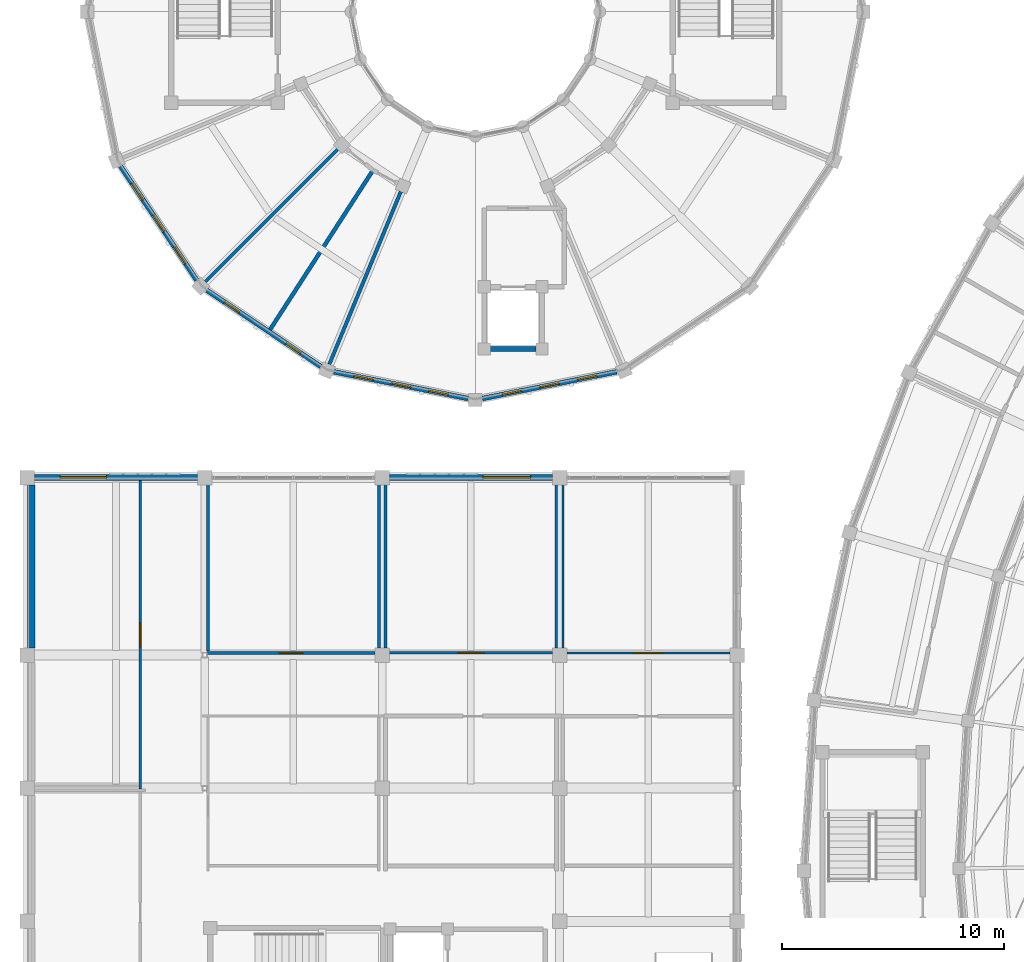
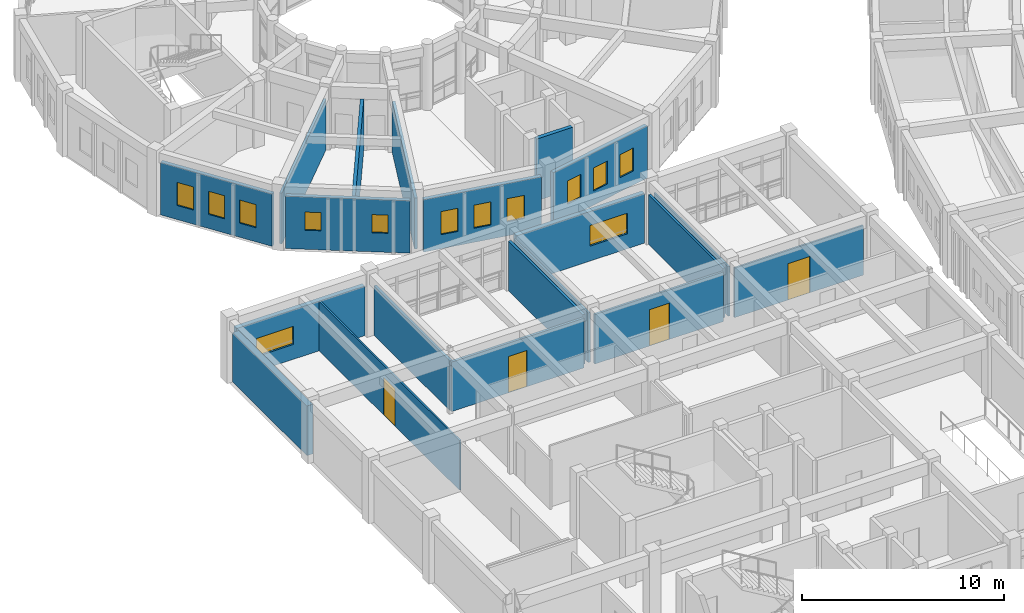
# One storey, part 83 of 112: 20 walls, 13 windows, 4 doors, 17 openings.
"""IFC4 building model written with IfcOpenShell, lengths in metres."""

from ifc_helpers import new_model, si_unit, direction, frame, frame_2d, origin, place, context, subcontext, project, spatial, rectangle, extrude, material, layer, layer_set, type_object, element, fill, save


model = new_model("IFC4")

# Units and contexts
model_context = context("Model", 3, precision=1e-05, world=origin(), true_north=direction((0.0, 1.0)))
body_context = subcontext(model_context, "Body", "Model", "MODEL_VIEW")
ifc_project = project(units=[si_unit("LENGTHUNIT", "METRE"), si_unit("AREAUNIT", "SQUARE_METRE"), si_unit("VOLUMEUNIT", "CUBIC_METRE"), si_unit("PLANEANGLEUNIT", "RADIAN"), si_unit("MASSUNIT", "GRAM", prefix="KILO")], contexts=[model_context])

# Site, building, storey
site_placement = place(None, origin())
site = spatial("IfcSite", under=ifc_project, at=site_placement, CompositionType="ELEMENT")
building_placement = place(site_placement, origin())
building = spatial("IfcBuilding", under=site, at=building_placement, Name="Celadon Cloister-Ring School", CompositionType="ELEMENT")
storey_placement = place(building_placement, frame((0.0, 0.0, 8.5)))
storey = spatial("IfcBuildingStorey", under=building, at=storey_placement, Name="L02", CompositionType="ELEMENT", Elevation=8.5)

# Wall, opening, window
ifc_material_1 = material(Name="Rendered concrete blockwork", Category="masonry")
ifc_layer_1 = layer(ifc_material_1, 0.260009765625)
ifc_layer_set_1 = layer_set([ifc_layer_1], Name="Rendered concrete blockwork")
wall_type_1 = type_object("IfcWallType", Name="WT-EX2", PredefinedType="SOLIDWALL", material=ifc_layer_set_1)
wall_1_placement = place(storey_placement, frame((0.326904296875, 76.0, 0.0), z_axis=(0.0, 0.0, 1.0), x_axis=(1.0, 0.0, 0.0)))
wall_1 = element("IfcWall", 1, at=wall_1_placement, inside=storey, type_object=wall_type_1, Name="Exterior Wall 0515", PredefinedType="SOLIDWALL", context=body_context, shape_type="SweptSolid", body=[
    extrude(rectangle(XDim=7.34619140625, YDim=0.260009765625, at=frame_2d((3.673095703125, 0.0))), origin(), (0.0, 0.0, 1.0), 3.001953125),
])
opening_1_placement = place(wall_1_placement, frame((1.154052734375, 0.0, 0.89990234375)))
opening_1 = element("IfcOpeningElement", 2, at=opening_1_placement, cuts=wall_1, Name="Opening WN-09", PredefinedType="OPENING", context=body_context, shape_type="SweptSolid", body=[
    extrude(rectangle(XDim=2.10009765625, YDim=1.10009765625, at=frame_2d((1.050048828125, 0.550048828125))), frame((0.0, 0.14013671875, 0.0), z_axis=(0.0, -1.0, 0.0), x_axis=(1.0, 0.0, 0.0)), (0.0, 0.0, 1.0), 0.280029296875),
])
ifc_material_2 = material(Name="Tempered laminated insulating glass", Category="glass")
window_type_1 = type_object("IfcWindowType", Name="WN-09", PartitioningType="DOUBLE_PANEL_VERTICAL", PredefinedType="WINDOW", material=ifc_material_2)
window_1_placement = place(opening_1_placement, origin())
window_1 = element("IfcWindow", 3, at=window_1_placement, inside=storey, type_object=window_type_1, Name="Window 1002", OverallHeight=1.10009765625, OverallWidth=2.10009765625, PartitioningType="SINGLE_PANEL", PredefinedType="WINDOW", context=body_context, shape_type="SweptSolid", body=[
    extrude(rectangle(XDim=2.10009765625, YDim=1.10009765625, at=frame_2d((1.050048828125, 0.550048828125))), frame((0.0, 0.030029296875, 0.0), z_axis=(0.0, -1.0, 0.0), x_axis=(1.0, 0.0, 0.0)), (0.0, 0.0, 1.0), 0.06005859375),
])
fill(opening_1, window_1)

wall_2_placement = place(storey_placement, frame((16.326904296875, 76.0, 0.0), z_axis=(0.0, 0.0, 1.0), x_axis=(1.0, 0.0, 0.0)))
wall_2 = element("IfcWall", 4, at=wall_2_placement, inside=storey, type_object=wall_type_1, Name="Exterior Wall 0516", PredefinedType="SOLIDWALL", context=body_context, shape_type="SweptSolid", body=[
    extrude(rectangle(XDim=7.34619140625, YDim=0.260009765625, at=frame_2d((3.673095703125, 0.0))), origin(), (0.0, 0.0, 1.0), 3.001953125),
])
opening_2_placement = place(wall_2_placement, frame((4.214111328125, 0.0, 0.89990234375)))
opening_2 = element("IfcOpeningElement", 5, at=opening_2_placement, cuts=wall_2, Name="Opening WN-19", PredefinedType="OPENING", context=body_context, shape_type="SweptSolid", body=[
    extrude(rectangle(XDim=2.14990234375, YDim=1.25, at=frame_2d((1.074951171875, 0.625))), frame((0.0, 0.14013671875, 0.0), z_axis=(0.0, -1.0, 0.0), x_axis=(1.0, 0.0, 0.0)), (0.0, 0.0, 1.0), 0.280029296875),
])
ifc_material_3 = material(Name="Tempered laminated insulating glass", Category="glass")
window_type_2 = type_object("IfcWindowType", Name="WN-19", PartitioningType="DOUBLE_PANEL_VERTICAL", PredefinedType="WINDOW", material=ifc_material_3)
window_2_placement = place(opening_2_placement, origin())
window_2 = element("IfcWindow", 6, at=window_2_placement, inside=storey, type_object=window_type_2, Name="Window 1003", OverallHeight=1.25, OverallWidth=2.14990234375, PartitioningType="SINGLE_PANEL", PredefinedType="WINDOW", context=body_context, shape_type="SweptSolid", body=[
    extrude(rectangle(XDim=2.14990234375, YDim=1.25, at=frame_2d((1.074951171875, 0.625))), frame((0.0, 0.030029296875, 0.0), z_axis=(0.0, -1.0, 0.0), x_axis=(1.0, 0.0, 0.0)), (0.0, 0.0, 1.0), 0.06005859375),
])
fill(opening_2, window_2)

# Wall, openings, windows
ifc_material_4 = material(Name="Perforated terracotta clay brick masonry", Category="masonry")
ifc_layer_2 = layer(ifc_material_4, 0.219970703125)
ifc_layer_set_2 = layer_set([ifc_layer_2], Name="Perforated terracotta clay brick masonry")
wall_type_2 = type_object("IfcWallType", Name="WT-EX4", PredefinedType="SOLIDWALL", material=ifc_layer_set_2)
wall_3_placement = place(storey_placement, frame((7.64306640625, 84.89990234375, 0.0), z_axis=(0.0, 0.0, 1.0), x_axis=(-0.555658736667, 0.831410469242, 0.0)))
wall_3 = element("IfcWall", 7, at=wall_3_placement, inside=storey, type_object=wall_type_2, Name="Exterior Wall 0262", PredefinedType="SOLIDWALL", context=body_context, shape_type="SweptSolid", body=[
    extrude(rectangle(XDim=6.169189453125, YDim=0.219970703125, at=frame_2d((3.08447265625, 0.0))), origin(), (0.0, 0.0, 1.0), 3.172119140625),
])
opening_3_placement = place(wall_3_placement, frame((0.906982421875, 0.0, 0.85009765625)))
opening_3 = element("IfcOpeningElement", 8, at=opening_3_placement, cuts=wall_3, Name="Opening WN-21", PredefinedType="OPENING", context=body_context, shape_type="SweptSolid", body=[
    extrude(rectangle(XDim=0.89990234375, YDim=1.39990234375, at=frame_2d((0.449951171875, 0.699951171875))), frame((0.0, 0.1201171875, 0.0), z_axis=(0.0, -1.0, 0.0), x_axis=(1.0, 0.0, 0.0)), (0.0, 0.0, 1.0), 0.239990234375),
])
opening_4_placement = place(wall_3_placement, frame((2.635009765625, 0.0, 0.85009765625)))
opening_4 = element("IfcOpeningElement", 9, at=opening_4_placement, cuts=wall_3, Name="Opening WN-21", PredefinedType="OPENING", context=body_context, shape_type="SweptSolid", body=[
    extrude(rectangle(XDim=0.89990234375, YDim=1.39990234375, at=frame_2d((0.449951171875, 0.699951171875))), frame((0.0, 0.1201171875, 0.0), z_axis=(0.0, -1.0, 0.0), x_axis=(1.0, 0.0, 0.0)), (0.0, 0.0, 1.0), 0.239990234375),
])
opening_5_placement = place(wall_3_placement, frame((4.362060546875, 0.0, 0.85009765625)))
opening_5 = element("IfcOpeningElement", 10, at=opening_5_placement, cuts=wall_3, Name="Opening WN-21", PredefinedType="OPENING", context=body_context, shape_type="SweptSolid", body=[
    extrude(rectangle(XDim=0.89990234375, YDim=1.39990234375, at=frame_2d((0.449951171875, 0.699951171875))), frame((0.0, 0.1201171875, 0.0), z_axis=(0.0, -1.0, 0.0), x_axis=(1.0, 0.0, 0.0)), (0.0, 0.0, 1.0), 0.239990234375),
])
ifc_material_5 = material(Name="Tempered laminated insulating glass", Category="glass")
window_type_3 = type_object("IfcWindowType", Name="WN-21", PartitioningType="SINGLE_PANEL", PredefinedType="WINDOW", material=ifc_material_5)
window_3_placement = place(opening_3_placement, origin())
window_3 = element("IfcWindow", 11, at=window_3_placement, inside=storey, type_object=window_type_3, Name="Window 0694", OverallHeight=1.39990234375, OverallWidth=0.89990234375, PartitioningType="SINGLE_PANEL", PredefinedType="WINDOW", context=body_context, shape_type="SweptSolid", body=[
    extrude(rectangle(XDim=0.89990234375, YDim=1.39990234375, at=frame_2d((0.449951171875, 0.699951171875))), frame((0.0, 0.030029296875, 0.0), z_axis=(0.0, -1.0, 0.0), x_axis=(1.0, 0.0, 0.0)), (0.0, 0.0, 1.0), 0.06005859375),
])
fill(opening_3, window_3)
window_4_placement = place(opening_4_placement, origin())
window_4 = element("IfcWindow", 12, at=window_4_placement, inside=storey, type_object=window_type_3, Name="Window 0695", OverallHeight=1.39990234375, OverallWidth=0.89990234375, PartitioningType="SINGLE_PANEL", PredefinedType="WINDOW", context=body_context, shape_type="SweptSolid", body=[
    extrude(rectangle(XDim=0.89990234375, YDim=1.39990234375, at=frame_2d((0.449951171875, 0.699951171875))), frame((0.0, 0.030029296875, 0.0), z_axis=(0.0, -1.0, 0.0), x_axis=(1.0, 0.0, 0.0)), (0.0, 0.0, 1.0), 0.06005859375),
])
fill(opening_4, window_4)
window_5_placement = place(opening_5_placement, origin())
window_5 = element("IfcWindow", 13, at=window_5_placement, inside=storey, type_object=window_type_3, Name="Window 0696", OverallHeight=1.39990234375, OverallWidth=0.89990234375, PartitioningType="SINGLE_PANEL", PredefinedType="WINDOW", context=body_context, shape_type="SweptSolid", body=[
    extrude(rectangle(XDim=0.89990234375, YDim=1.39990234375, at=frame_2d((0.449951171875, 0.699951171875))), frame((0.0, 0.030029296875, 0.0), z_axis=(0.0, -1.0, 0.0), x_axis=(1.0, 0.0, 0.0)), (0.0, 0.0, 1.0), 0.06005859375),
])
fill(opening_5, window_5)

wall_4_placement = place(storey_placement, frame((13.22900390625, 81.014892578125, 0.0), z_axis=(0.0, 0.0, 1.0), x_axis=(-0.831379966495, 0.555704374025, 0.0)))
wall_4 = element("IfcWall", 14, at=wall_4_placement, inside=storey, type_object=wall_type_2, Name="Exterior Wall 0263", PredefinedType="SOLIDWALL", context=body_context, shape_type="SweptSolid", body=[
    extrude(rectangle(XDim=6.169189453125, YDim=0.219970703125, at=frame_2d((3.08447265625, 0.0))), origin(), (0.0, 0.0, 1.0), 3.172119140625),
])
opening_6_placement = place(wall_4_placement, frame((1.0810546875, 0.0, 1.14990234375)))
opening_6 = element("IfcOpeningElement", 15, at=opening_6_placement, cuts=wall_4, Name="Opening WN-01", PredefinedType="OPENING", context=body_context, shape_type="SweptSolid", body=[
    extrude(rectangle(XDim=0.800048828125, YDim=1.10009765625, at=frame_2d((0.39990234375, 0.550048828125))), frame((0.0, 0.1201171875, 0.0), z_axis=(0.0, -1.0, 0.0), x_axis=(1.0, 0.0, 0.0)), (0.0, 0.0, 1.0), 0.239990234375),
])
opening_7_placement = place(wall_4_placement, frame((4.412109375, 0.0, 1.14990234375)))
opening_7 = element("IfcOpeningElement", 16, at=opening_7_placement, cuts=wall_4, Name="Opening WN-01", PredefinedType="OPENING", context=body_context, shape_type="SweptSolid", body=[
    extrude(rectangle(XDim=0.800048828125, YDim=1.10009765625, at=frame_2d((0.39990234375, 0.550048828125))), frame((0.0, 0.1201171875, 0.0), z_axis=(0.0, -1.0, 0.0), x_axis=(1.0, 0.0, 0.0)), (0.0, 0.0, 1.0), 0.239990234375),
])
ifc_material_6 = material(Name="Tempered laminated insulating glass", Category="glass")
window_type_4 = type_object("IfcWindowType", Name="WN-01", PartitioningType="SINGLE_PANEL", PredefinedType="WINDOW", material=ifc_material_6)
window_6_placement = place(opening_6_placement, origin())
window_6 = element("IfcWindow", 17, at=window_6_placement, inside=storey, type_object=window_type_4, Name="Window 0697", OverallHeight=1.10009765625, OverallWidth=0.800048828125, PartitioningType="SINGLE_PANEL", PredefinedType="WINDOW", context=body_context, shape_type="SweptSolid", body=[
    extrude(rectangle(XDim=0.800048828125, YDim=1.10009765625, at=frame_2d((0.39990234375, 0.550048828125))), frame((0.0, 0.030029296875, 0.0), z_axis=(0.0, -1.0, 0.0), x_axis=(1.0, 0.0, 0.0)), (0.0, 0.0, 1.0), 0.06005859375),
])
fill(opening_6, window_6)
window_7_placement = place(opening_7_placement, origin())
window_7 = element("IfcWindow", 18, at=window_7_placement, inside=storey, type_object=window_type_4, Name="Window 0698", OverallHeight=1.10009765625, OverallWidth=0.800048828125, PartitioningType="SINGLE_PANEL", PredefinedType="WINDOW", context=body_context, shape_type="SweptSolid", body=[
    extrude(rectangle(XDim=0.800048828125, YDim=1.10009765625, at=frame_2d((0.39990234375, 0.550048828125))), frame((0.0, 0.030029296875, 0.0), z_axis=(0.0, -1.0, 0.0), x_axis=(1.0, 0.0, 0.0)), (0.0, 0.0, 1.0), 0.06005859375),
])
fill(opening_7, window_7)

wall_5_placement = place(storey_placement, frame((19.876953125, 79.56396484375, 0.0), z_axis=(0.0, 0.0, 1.0), x_axis=(-0.980770460131, 0.195164813773, 0.0)))
wall_5 = element("IfcWall", 19, at=wall_5_placement, inside=storey, type_object=wall_type_2, Name="Exterior Wall 0265", PredefinedType="SOLIDWALL", context=body_context, shape_type="SweptSolid", body=[
    extrude(rectangle(XDim=6.169677734375, YDim=0.219970703125, at=frame_2d((3.0849609375, 0.0))), origin(), (0.0, 0.0, 1.0), 3.172119140625),
])
opening_8_placement = place(wall_5_placement, frame((0.906982421875, 0.0, 0.85009765625)))
opening_8 = element("IfcOpeningElement", 20, at=opening_8_placement, cuts=wall_5, Name="Opening WN-21", PredefinedType="OPENING", context=body_context, shape_type="SweptSolid", body=[
    extrude(rectangle(XDim=0.89990234375, YDim=1.39990234375, at=frame_2d((0.449951171875, 0.699951171875))), frame((0.0, 0.1201171875, 0.0), z_axis=(0.0, -1.0, 0.0), x_axis=(1.0, 0.0, 0.0)), (0.0, 0.0, 1.0), 0.239990234375),
])
opening_9_placement = place(wall_5_placement, frame((2.635009765625, 0.0, 0.85009765625)))
opening_9 = element("IfcOpeningElement", 21, at=opening_9_placement, cuts=wall_5, Name="Opening WN-21", PredefinedType="OPENING", context=body_context, shape_type="SweptSolid", body=[
    extrude(rectangle(XDim=0.89990234375, YDim=1.39990234375, at=frame_2d((0.449951171875, 0.699951171875))), frame((0.0, 0.1201171875, 0.0), z_axis=(0.0, -1.0, 0.0), x_axis=(1.0, 0.0, 0.0)), (0.0, 0.0, 1.0), 0.239990234375),
])
opening_10_placement = place(wall_5_placement, frame((4.362060546875, 0.0, 0.85009765625)))
opening_10 = element("IfcOpeningElement", 22, at=opening_10_placement, cuts=wall_5, Name="Opening WN-21", PredefinedType="OPENING", context=body_context, shape_type="SweptSolid", body=[
    extrude(rectangle(XDim=0.89990234375, YDim=1.39990234375, at=frame_2d((0.449951171875, 0.699951171875))), frame((0.0, 0.1201171875, 0.0), z_axis=(0.0, -1.0, 0.0), x_axis=(1.0, 0.0, 0.0)), (0.0, 0.0, 1.0), 0.239990234375),
])
window_8_placement = place(opening_8_placement, origin())
window_8 = element("IfcWindow", 23, at=window_8_placement, inside=storey, type_object=window_type_3, Name="Window 0699", OverallHeight=1.39990234375, OverallWidth=0.89990234375, PartitioningType="SINGLE_PANEL", PredefinedType="WINDOW", context=body_context, shape_type="SweptSolid", body=[
    extrude(rectangle(XDim=0.89990234375, YDim=1.39990234375, at=frame_2d((0.449951171875, 0.699951171875))), frame((0.0, 0.030029296875, 0.0), z_axis=(0.0, -1.0, 0.0), x_axis=(1.0, 0.0, 0.0)), (0.0, 0.0, 1.0), 0.06005859375),
])
fill(opening_8, window_8)
window_9_placement = place(opening_9_placement, origin())
window_9 = element("IfcWindow", 24, at=window_9_placement, inside=storey, type_object=window_type_3, Name="Window 0700", OverallHeight=1.39990234375, OverallWidth=0.89990234375, PartitioningType="SINGLE_PANEL", PredefinedType="WINDOW", context=body_context, shape_type="SweptSolid", body=[
    extrude(rectangle(XDim=0.89990234375, YDim=1.39990234375, at=frame_2d((0.449951171875, 0.699951171875))), frame((0.0, 0.030029296875, 0.0), z_axis=(0.0, -1.0, 0.0), x_axis=(1.0, 0.0, 0.0)), (0.0, 0.0, 1.0), 0.06005859375),
])
fill(opening_9, window_9)
window_10_placement = place(opening_10_placement, origin())
window_10 = element("IfcWindow", 25, at=window_10_placement, inside=storey, type_object=window_type_3, Name="Window 0701", OverallHeight=1.39990234375, OverallWidth=0.89990234375, PartitioningType="SINGLE_PANEL", PredefinedType="WINDOW", context=body_context, shape_type="SweptSolid", body=[
    extrude(rectangle(XDim=0.89990234375, YDim=1.39990234375, at=frame_2d((0.449951171875, 0.699951171875))), frame((0.0, 0.030029296875, 0.0), z_axis=(0.0, -1.0, 0.0), x_axis=(1.0, 0.0, 0.0)), (0.0, 0.0, 1.0), 0.06005859375),
])
fill(opening_10, window_10)

wall_6_placement = place(storey_placement, frame((26.573974609375, 80.76806640625, 0.0), z_axis=(0.0, 0.0, 1.0), x_axis=(-0.980770460131, -0.195164813773, 0.0)))
wall_6 = element("IfcWall", 26, at=wall_6_placement, inside=storey, type_object=wall_type_2, Name="Exterior Wall 0266", PredefinedType="SOLIDWALL", context=body_context, shape_type="SweptSolid", body=[
    extrude(rectangle(XDim=6.169677734375, YDim=0.219970703125, at=frame_2d((3.0849609375, 0.0))), origin(), (0.0, 0.0, 1.0), 3.172119140625),
])
opening_11_placement = place(wall_6_placement, frame((0.906982421875, 0.0, 0.85009765625)))
opening_11 = element("IfcOpeningElement", 27, at=opening_11_placement, cuts=wall_6, Name="Opening WN-21", PredefinedType="OPENING", context=body_context, shape_type="SweptSolid", body=[
    extrude(rectangle(XDim=0.89990234375, YDim=1.39990234375, at=frame_2d((0.449951171875, 0.699951171875))), frame((0.0, 0.1201171875, 0.0), z_axis=(0.0, -1.0, 0.0), x_axis=(1.0, 0.0, 0.0)), (0.0, 0.0, 1.0), 0.239990234375),
])
opening_12_placement = place(wall_6_placement, frame((2.635009765625, 0.0, 0.85009765625)))
opening_12 = element("IfcOpeningElement", 28, at=opening_12_placement, cuts=wall_6, Name="Opening WN-21", PredefinedType="OPENING", context=body_context, shape_type="SweptSolid", body=[
    extrude(rectangle(XDim=0.89990234375, YDim=1.39990234375, at=frame_2d((0.449951171875, 0.699951171875))), frame((0.0, 0.1201171875, 0.0), z_axis=(0.0, -1.0, 0.0), x_axis=(1.0, 0.0, 0.0)), (0.0, 0.0, 1.0), 0.239990234375),
])
opening_13_placement = place(wall_6_placement, frame((4.362060546875, 0.0, 0.85009765625)))
opening_13 = element("IfcOpeningElement", 29, at=opening_13_placement, cuts=wall_6, Name="Opening WN-21", PredefinedType="OPENING", context=body_context, shape_type="SweptSolid", body=[
    extrude(rectangle(XDim=0.89990234375, YDim=1.39990234375, at=frame_2d((0.449951171875, 0.699951171875))), frame((0.0, 0.1201171875, 0.0), z_axis=(0.0, -1.0, 0.0), x_axis=(1.0, 0.0, 0.0)), (0.0, 0.0, 1.0), 0.239990234375),
])
window_11_placement = place(opening_11_placement, origin())
window_11 = element("IfcWindow", 30, at=window_11_placement, inside=storey, type_object=window_type_3, Name="Window 0702", OverallHeight=1.39990234375, OverallWidth=0.89990234375, PartitioningType="SINGLE_PANEL", PredefinedType="WINDOW", context=body_context, shape_type="SweptSolid", body=[
    extrude(rectangle(XDim=0.89990234375, YDim=1.39990234375, at=frame_2d((0.449951171875, 0.699951171875))), frame((0.0, 0.030029296875, 0.0), z_axis=(0.0, -1.0, 0.0), x_axis=(1.0, 0.0, 0.0)), (0.0, 0.0, 1.0), 0.06005859375),
])
fill(opening_11, window_11)
window_12_placement = place(opening_12_placement, origin())
window_12 = element("IfcWindow", 31, at=window_12_placement, inside=storey, type_object=window_type_3, Name="Window 0703", OverallHeight=1.39990234375, OverallWidth=0.89990234375, PartitioningType="SINGLE_PANEL", PredefinedType="WINDOW", context=body_context, shape_type="SweptSolid", body=[
    extrude(rectangle(XDim=0.89990234375, YDim=1.39990234375, at=frame_2d((0.449951171875, 0.699951171875))), frame((0.0, 0.030029296875, 0.0), z_axis=(0.0, -1.0, 0.0), x_axis=(1.0, 0.0, 0.0)), (0.0, 0.0, 1.0), 0.06005859375),
])
fill(opening_12, window_12)
window_13_placement = place(opening_13_placement, origin())
window_13 = element("IfcWindow", 32, at=window_13_placement, inside=storey, type_object=window_type_3, Name="Window 0704", OverallHeight=1.39990234375, OverallWidth=0.89990234375, PartitioningType="SINGLE_PANEL", PredefinedType="WINDOW", context=body_context, shape_type="SweptSolid", body=[
    extrude(rectangle(XDim=0.89990234375, YDim=1.39990234375, at=frame_2d((0.449951171875, 0.699951171875))), frame((0.0, 0.030029296875, 0.0), z_axis=(0.0, -1.0, 0.0), x_axis=(1.0, 0.0, 0.0)), (0.0, 0.0, 1.0), 0.06005859375),
])
fill(opening_13, window_13)

# Walls
ifc_material_7 = material(Name="Concrete C40/50", Category="concrete")
ifc_layer_3 = layer(ifc_material_7, 0.35009765625)
ifc_layer_set_3 = layer_set([ifc_layer_3], Name="Concrete C40/50")
wall_type_3 = type_object("IfcWallType", Name="WT-FW2", PredefinedType="SHEAR", material=ifc_layer_set_3)
wall_7_placement = place(storey_placement, frame((0.175048828125, 68.326904296875, 0.0), z_axis=(0.0, 0.0, 1.0), x_axis=(0.0, 1.0, 0.0)))
element("IfcWall", 33, at=wall_7_placement, inside=storey, type_object=wall_type_3, Name="Exterior Wall 0528", PredefinedType="SHEAR", context=body_context, shape_type="SweptSolid", body=[
    extrude(rectangle(XDim=7.34619140625, YDim=0.35009765625, at=frame_2d((3.673095703125, 0.0))), origin(), (0.0, 0.0, 1.0), 3.001953125),
])
ifc_material_8 = material(Name="Plastered hollow concrete masonry", Category="masonry")
ifc_layer_4 = layer(ifc_material_8, 0.179931640625)
ifc_layer_set_4 = layer_set([ifc_layer_4], Name="Plastered hollow concrete masonry")
wall_type_4 = type_object("IfcWallType", Name="WT-PT2", PredefinedType="PARTITIONING", material=ifc_layer_set_4)
wall_8_placement = place(storey_placement, frame((15.589111328125, 89.85888671875, 0.0), z_axis=(0.0, 0.0, 1.0), x_axis=(-0.542440235144, -0.840094394278, 0.0)))
element("IfcWall", 34, at=wall_8_placement, inside=storey, type_object=wall_type_4, Name="Interior Wall 0718", PredefinedType="PARTITIONING", context=body_context, shape_type="SweptSolid", body=[
    extrude(rectangle(XDim=8.552490234375, YDim=0.179931640625, at=frame_2d((4.2763671875, 0.0))), origin(), (0.0, 0.0, 1.0), 3.072021484375),
])
ifc_material_9 = material(Name="Plastered hollow concrete masonry", Category="masonry")
ifc_layer_5 = layer(ifc_material_9, 0.159912109375)
ifc_layer_set_5 = layer_set([ifc_layer_5], Name="Plastered hollow concrete masonry")
wall_type_5 = type_object("IfcWallType", Name="WT-PT3", PredefinedType="PARTITIONING", material=ifc_layer_set_5)
wall_9_placement = place(storey_placement, frame((16.844970703125, 88.89990234375, 0.0), z_axis=(0.0, 0.0, 1.0), x_axis=(-0.382683896966, -0.923879340067, 0.0)))
element("IfcWall", 35, at=wall_9_placement, inside=storey, type_object=wall_type_5, Name="Interior Wall 0711", PredefinedType="PARTITIONING", context=body_context, shape_type="SweptSolid", body=[
    extrude(rectangle(XDim=8.4404296875, YDim=0.159912109375, at=frame_2d((4.22021484375, 0.0))), origin(), (0.0, 0.0, 1.0), 3.072021484375),
])
ifc_material_10 = material(Name="Acoustic mineral-wool drywall partition")
ifc_layer_6 = layer(ifc_material_10, 0.139892578125)
ifc_layer_set_6 = layer_set([ifc_layer_6], Name="Acoustic mineral-wool drywall partition")
wall_type_6 = type_object("IfcWallType", Name="WT-PT4", PredefinedType="PARTITIONING", material=ifc_layer_set_6)
wall_10_placement = place(storey_placement, frame((14.0009765625, 90.801025390625, 0.0), z_axis=(0.0, 0.0, 1.0), x_axis=(-0.707106781187, -0.707106781187, 0.0)))
element("IfcWall", 36, at=wall_10_placement, inside=storey, type_object=wall_type_6, Name="Interior Wall 0710", PredefinedType="PARTITIONING", context=body_context, shape_type="SweptSolid", body=[
    extrude(rectangle(XDim=8.44140625, YDim=0.139892578125, at=frame_2d((4.220703125, 0.0))), origin(), (0.0, 0.0, 1.0), 3.072021484375),
])
wall_11_placement = place(storey_placement, frame((15.85009765625, 75.68310546875, 0.0), z_axis=(0.0, 0.0, 1.0), x_axis=(0.0, -1.0, 0.0)))
element("IfcWall", 37, at=wall_11_placement, inside=storey, type_object=wall_type_6, Name="Interior Wall 1044", PredefinedType="PARTITIONING", context=body_context, shape_type="SweptSolid", body=[
    extrude(rectangle(XDim=7.3662109375, YDim=0.139892578125, at=frame_2d((3.68310546875, 0.0))), origin(), (0.0, 0.0, 1.0), 3.001953125),
])

# Wall, opening, door
wall_12_placement = place(storey_placement, frame((15.68310546875, 68.10009765625, 0.0), z_axis=(0.0, 0.0, 1.0), x_axis=(-1.0, 0.0, 0.0)))
wall_12 = element("IfcWall", 38, at=wall_12_placement, inside=storey, type_object=wall_type_6, Name="Interior Wall 1045", PredefinedType="PARTITIONING", context=body_context, shape_type="SweptSolid", body=[
    extrude(rectangle(XDim=7.5810546875, YDim=0.139892578125, at=frame_2d((3.79052734375, 0.0))), origin(), (0.0, 0.0, 1.0), 3.001953125),
])
opening_14_placement = place(wall_12_placement, frame((3.260009765625, 0.0, 0.0)))
opening_14 = element("IfcOpeningElement", 39, at=opening_14_placement, cuts=wall_12, Name="Opening D-0372", PredefinedType="OPENING", context=body_context, shape_type="SweptSolid", body=[
    extrude(rectangle(XDim=1.06005859375, YDim=2.199951171875, at=frame_2d((0.530029296875, 1.10009765625))), frame((0.0, 0.080078125, 0.0), z_axis=(0.0, -1.0, 0.0), x_axis=(1.0, 0.0, 0.0)), (0.0, 0.0, 1.0), 0.159912109375),
])
ifc_material_11 = material(Name="Solid-core fire-rated hardwood leaf", Category="wood")
door_type_1 = type_object("IfcDoorType", Name="DT-08", OperationType="NOTDEFINED", PredefinedType="DOOR", material=ifc_material_11)
door_1_placement = place(opening_14_placement, origin())
door_1 = element("IfcDoor", 40, at=door_1_placement, inside=storey, type_object=door_type_1, Name="Door D-0372", OperationType="SINGLE_SWING_RIGHT", OverallHeight=2.199951171875, OverallWidth=1.06005859375, PredefinedType="DOOR", context=body_context, shape_type="SweptSolid", body=[
    extrude(rectangle(XDim=1.06005859375, YDim=2.199951171875, at=frame_2d((0.530029296875, 1.10009765625))), frame((0.0, 0.02490234375, 0.0), z_axis=(0.0, -1.0, 0.0), x_axis=(1.0, 0.0, 0.0)), (0.0, 0.0, 1.0), 0.050048828125),
])
fill(opening_14, door_1)

# Walls
wall_13_placement = place(storey_placement, frame((8.14990234375, 68.173095703125, 0.0), z_axis=(0.0, 0.0, 1.0), x_axis=(0.0, 1.0, 0.0)))
element("IfcWall", 41, at=wall_13_placement, inside=storey, type_object=wall_type_6, Name="Interior Wall 1046", PredefinedType="PARTITIONING", context=body_context, shape_type="SweptSolid", body=[
    extrude(rectangle(XDim=7.510009765625, YDim=0.139892578125, at=frame_2d((3.7548828125, 0.0))), origin(), (0.0, 0.0, 1.0), 3.001953125),
])
ifc_material_12 = material(Name="Acoustic mineral-wool drywall partition")
ifc_layer_7 = layer(ifc_material_12, 0.1201171875)
ifc_layer_set_7 = layer_set([ifc_layer_7], Name="Acoustic mineral-wool drywall partition")
wall_type_7 = type_object("IfcWallType", Name="WT-PT5", PredefinedType="PARTITIONING", material=ifc_layer_set_7)
wall_14_placement = place(storey_placement, frame((23.85009765625, 75.68310546875, 0.0), z_axis=(0.0, 0.0, 1.0), x_axis=(0.0, -1.0, 0.0)))
element("IfcWall", 42, at=wall_14_placement, inside=storey, type_object=wall_type_7, Name="Interior Wall 1047", PredefinedType="PARTITIONING", context=body_context, shape_type="SweptSolid", body=[
    extrude(rectangle(XDim=7.3662109375, YDim=0.1201171875, at=frame_2d((3.68310546875, 0.0))), origin(), (0.0, 0.0, 1.0), 3.001953125),
])

# Wall, opening, door
wall_15_placement = place(storey_placement, frame((23.68310546875, 68.10009765625, 0.0), z_axis=(0.0, 0.0, 1.0), x_axis=(-1.0, 0.0, 0.0)))
wall_15 = element("IfcWall", 43, at=wall_15_placement, inside=storey, type_object=wall_type_7, Name="Interior Wall 1048", PredefinedType="PARTITIONING", context=body_context, shape_type="SweptSolid", body=[
    extrude(rectangle(XDim=7.3662109375, YDim=0.1201171875, at=frame_2d((3.68310546875, 0.0))), origin(), (0.0, 0.0, 1.0), 3.001953125),
])
opening_15_placement = place(wall_15_placement, frame((3.10791015625, 0.0, 0.0)))
opening_15 = element("IfcOpeningElement", 44, at=opening_15_placement, cuts=wall_15, Name="Opening D-0373", PredefinedType="OPENING", context=body_context, shape_type="SweptSolid", body=[
    extrude(rectangle(XDim=1.14990234375, YDim=2.199951171875, at=frame_2d((0.574951171875, 1.10009765625))), frame((0.0, 0.070068359375, 0.0), z_axis=(0.0, -1.0, 0.0), x_axis=(1.0, 0.0, 0.0)), (0.0, 0.0, 1.0), 0.14013671875),
])
ifc_material_13 = material(Name="Galvanised fire-rated hollow steel leaf", Category="steel")
door_type_2 = type_object("IfcDoorType", Name="DT-09", OperationType="NOTDEFINED", PredefinedType="DOOR", material=ifc_material_13)
door_2_placement = place(opening_15_placement, origin())
door_2 = element("IfcDoor", 45, at=door_2_placement, inside=storey, type_object=door_type_2, Name="Door D-0373", OperationType="SINGLE_SWING_LEFT", OverallHeight=2.199951171875, OverallWidth=1.14990234375, PredefinedType="DOOR", context=body_context, shape_type="SweptSolid", body=[
    extrude(rectangle(XDim=1.14990234375, YDim=2.199951171875, at=frame_2d((0.574951171875, 1.10009765625))), frame((0.0, 0.02490234375, 0.0), z_axis=(0.0, -1.0, 0.0), x_axis=(1.0, 0.0, 0.0)), (0.0, 0.0, 1.0), 0.050048828125),
])
fill(opening_15, door_2)

# Wall
wall_16_placement = place(storey_placement, frame((16.14990234375, 68.31689453125, 0.0), z_axis=(0.0, 0.0, 1.0), x_axis=(0.0, 1.0, 0.0)))
element("IfcWall", 46, at=wall_16_placement, inside=storey, type_object=wall_type_7, Name="Interior Wall 1049", PredefinedType="PARTITIONING", context=body_context, shape_type="SweptSolid", body=[
    extrude(rectangle(XDim=7.3662109375, YDim=0.1201171875, at=frame_2d((3.68310546875, 0.0))), origin(), (0.0, 0.0, 1.0), 3.001953125),
])

# Wall, opening, door
ifc_material_14 = material(Name="Acoustic mineral-wool drywall partition")
ifc_layer_8 = layer(ifc_material_14, 0.10009765625)
ifc_layer_set_8 = layer_set([ifc_layer_8], Name="Acoustic mineral-wool drywall partition")
wall_type_8 = type_object("IfcWallType", Name="WT-PT6", PredefinedType="PARTITIONING", material=ifc_layer_set_8)
wall_17_placement = place(storey_placement, frame((31.68310546875, 68.10009765625, 0.0), z_axis=(0.0, 0.0, 1.0), x_axis=(-1.0, 0.0, 0.0)))
wall_17 = element("IfcWall", 47, at=wall_17_placement, inside=storey, type_object=wall_type_8, Name="Interior Wall 1050", PredefinedType="PARTITIONING", context=body_context, shape_type="SweptSolid", body=[
    extrude(rectangle(XDim=7.3662109375, YDim=0.10009765625, at=frame_2d((3.68310546875, 0.0))), origin(), (0.0, 0.0, 1.0), 3.001953125),
])
opening_16_placement = place(wall_17_placement, frame((3.05810546875, 0.0, 0.0)))
opening_16 = element("IfcOpeningElement", 48, at=opening_16_placement, cuts=wall_17, Name="Opening D-0374", PredefinedType="OPENING", context=body_context, shape_type="SweptSolid", body=[
    extrude(rectangle(XDim=1.25, YDim=2.199951171875, at=frame_2d((0.625, 1.10009765625))), frame((0.0, 0.06005859375, 0.0), z_axis=(0.0, -1.0, 0.0), x_axis=(1.0, 0.0, 0.0)), (0.0, 0.0, 1.0), 0.1201171875),
])
ifc_material_15 = material(Name="Galvanised fire-rated hollow steel leaf", Category="steel")
door_type_3 = type_object("IfcDoorType", Name="DT-10", OperationType="NOTDEFINED", PredefinedType="DOOR", material=ifc_material_15)
door_3_placement = place(opening_16_placement, origin())
door_3 = element("IfcDoor", 49, at=door_3_placement, inside=storey, type_object=door_type_3, Name="Door D-0374", OperationType="SINGLE_SWING_RIGHT", OverallHeight=2.199951171875, OverallWidth=1.25, PredefinedType="DOOR", context=body_context, shape_type="SweptSolid", body=[
    extrude(rectangle(XDim=1.25, YDim=2.199951171875, at=frame_2d((0.625, 1.10009765625))), frame((0.0, 0.02490234375, 0.0), z_axis=(0.0, -1.0, 0.0), x_axis=(1.0, 0.0, 0.0)), (0.0, 0.0, 1.0), 0.050048828125),
])
fill(opening_16, door_3)

# Wall
wall_18_placement = place(storey_placement, frame((24.14990234375, 68.31689453125, 0.0), z_axis=(0.0, 0.0, 1.0), x_axis=(0.0, 1.0, 0.0)))
element("IfcWall", 50, at=wall_18_placement, inside=storey, type_object=wall_type_8, Name="Interior Wall 1051", PredefinedType="PARTITIONING", context=body_context, shape_type="SweptSolid", body=[
    extrude(rectangle(XDim=7.3662109375, YDim=0.10009765625, at=frame_2d((3.68310546875, 0.0))), origin(), (0.0, 0.0, 1.0), 3.001953125),
])

# Wall, opening, door
wall_19_placement = place(storey_placement, frame((5.10009765625, 75.866943359375, 0.0), z_axis=(0.0, 0.0, 1.0), x_axis=(0.0, -1.0, 0.0)))
wall_19 = element("IfcWall", 51, at=wall_19_placement, inside=storey, type_object=wall_type_8, Name="Interior Wall 1063", PredefinedType="PARTITIONING", context=body_context, shape_type="SweptSolid", body=[
    extrude(rectangle(XDim=13.904052734375, YDim=0.10009765625, at=frame_2d((6.9521484375, 0.0))), origin(), (0.0, 0.0, 1.0), 3.001953125),
])
opening_17_placement = place(wall_19_placement, frame((6.402099609375, 0.0, 0.0)))
opening_17 = element("IfcOpeningElement", 52, at=opening_17_placement, cuts=wall_19, Name="Opening D-0379", PredefinedType="OPENING", context=body_context, shape_type="SweptSolid", body=[
    extrude(rectangle(XDim=1.10009765625, YDim=2.280029296875, at=frame_2d((0.550048828125, 1.14013671875))), frame((0.0, 0.06005859375, 0.0), z_axis=(0.0, -1.0, 0.0), x_axis=(1.0, 0.0, 0.0)), (0.0, 0.0, 1.0), 0.1201171875),
])
ifc_material_16 = material(Name="Galvanised fire-rated hollow steel leaf", Category="steel")
door_type_4 = type_object("IfcDoorType", Name="DT-15", OperationType="NOTDEFINED", PredefinedType="DOOR", material=ifc_material_16)
door_4_placement = place(opening_17_placement, origin())
door_4 = element("IfcDoor", 53, at=door_4_placement, inside=storey, type_object=door_type_4, Name="Door D-0379", OperationType="SINGLE_SWING_LEFT", OverallHeight=2.280029296875, OverallWidth=1.10009765625, PredefinedType="DOOR", context=body_context, shape_type="SweptSolid", body=[
    extrude(rectangle(XDim=1.10009765625, YDim=2.280029296875, at=frame_2d((0.550048828125, 1.14013671875))), frame((0.0, 0.02490234375, 0.0), z_axis=(0.0, -1.0, 0.0), x_axis=(1.0, 0.0, 0.0)), (0.0, 0.0, 1.0), 0.050048828125),
])
fill(opening_17, door_4)

# Wall
ifc_material_17 = material(Name="Concrete C40/50", Category="concrete")
ifc_layer_9 = layer(ifc_material_17, 0.219970703125)
ifc_layer_set_9 = layer_set([ifc_layer_9], Name="Concrete C40/50")
wall_type_9 = type_object("IfcWallType", Name="WT-SH2", PredefinedType="SHEAR", material=ifc_layer_set_9)
wall_20_placement = place(storey_placement, frame((20.866943359375, 81.800048828125, 0.0), z_axis=(0.0, 0.0, 1.0), x_axis=(1.0, 0.0, 0.0)))
element("IfcWall", 54, at=wall_20_placement, inside=storey, type_object=wall_type_9, Name="Interior Wall 0351", PredefinedType="SHEAR", context=body_context, shape_type="SweptSolid", body=[
    extrude(rectangle(XDim=2.066162109375, YDim=0.219970703125, at=frame_2d((1.033203125, 0.0))), origin(), (0.0, 0.0, 1.0), 3.739990234375),
])

save(model, "model.ifc")
